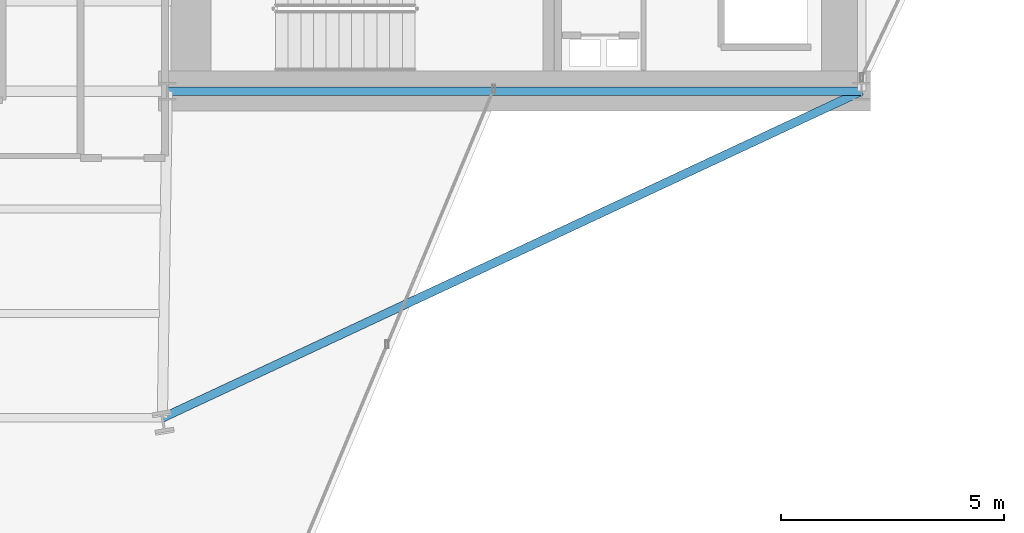
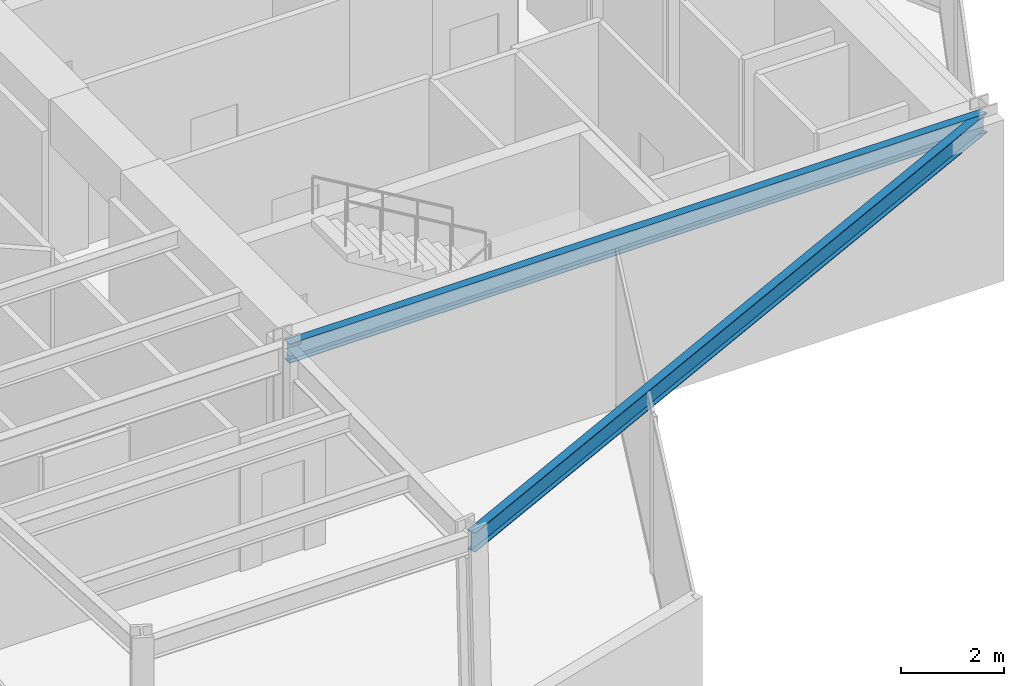
# One storey, part 11 of 25: 2 beams.
"""IFC4 building model written with IfcOpenShell, lengths in metres."""

from ifc_helpers import new_model, si_unit, direction, frame, origin, origin_2d, place, context, subcontext, project, spatial, i_section, extrude, material, material_profile, profile_set, type_object, element, save


model = new_model("IFC4")

# Units and contexts
model_context = context("Model", 3, precision=1e-05, world=origin(), true_north=direction((0.0, 1.0)))
body_context = subcontext(model_context, "Body", "Model", "MODEL_VIEW")
ifc_project = project(units=[si_unit("LENGTHUNIT", "METRE"), si_unit("AREAUNIT", "SQUARE_METRE"), si_unit("VOLUMEUNIT", "CUBIC_METRE"), si_unit("PLANEANGLEUNIT", "RADIAN"), si_unit("MASSUNIT", "GRAM", prefix="KILO")], contexts=[model_context])

# Site, building, storey
site_placement = place(None, origin())
site = spatial("IfcSite", under=ifc_project, at=site_placement, CompositionType="ELEMENT")
building_placement = place(site_placement, origin())
building = spatial("IfcBuilding", under=site, at=building_placement, Name="Veymaron Broadcast Tower", CompositionType="ELEMENT")
storey_placement = place(building_placement, frame((0.0, 0.0, 82.35009765625)))
storey = spatial("IfcBuildingStorey", under=building, at=storey_placement, Name="L18", CompositionType="ELEMENT", Elevation=82.35009765625)

# Beams
ifc_material = material(Name="Structural steel ASTM A992 Gr 50", Category="steel")
ifc_material_profile = material_profile(ifc_material, i_section(OverallWidth=0.19091796875, OverallDepth=0.4599609375, WebThickness=0.010009765625, FlangeThickness=0.01611328125, at=origin_2d()), Name="W460X82")
ifc_profile_set = profile_set([ifc_material_profile], Name="Structural steel ASTM A992 Gr 50")
beam_type = type_object("IfcBeamType", Name="BM-SP1", PredefinedType="SPANDREL", material=ifc_profile_set)
beam_1_placement = place(storey_placement, frame((39.0, 16.0, 3.579833984375), z_axis=(1.0, 0.0, 0.0), x_axis=(0.0, 1.0, 0.0)))
element("IfcBeam", 1, at=beam_1_placement, inside=storey, type_object=beam_type, Name="L18 primary structural floor girder", PredefinedType="SPANDREL", context=body_context, shape_type="SweptSolid", body=[
    extrude(i_section(OverallWidth=0.19091796875, OverallDepth=0.4599609375, WebThickness=0.010009765625, FlangeThickness=0.01611328125, at=origin_2d()), origin(), (0.0, 0.0, 1.0), 15.60009765625),
])
beam_2_placement = place(storey_placement, frame((54.60009765625, 16.0, 3.579833984375), z_axis=(-0.905991691469, -0.423295470078, 0.0), x_axis=(0.423295470078, -0.905991691469, 0.0)))
element("IfcBeam", 2, at=beam_2_placement, inside=storey, type_object=beam_type, Name="L18 primary structural floor girder", PredefinedType="SPANDREL", context=body_context, shape_type="SweptSolid", body=[
    extrude(i_section(OverallWidth=0.19091796875, OverallDepth=0.4599609375, WebThickness=0.010009765625, FlangeThickness=0.01611328125, at=origin_2d()), origin(), (0.0, 0.0, 1.0), 17.34033203125),
])

save(model, "model.ifc")
